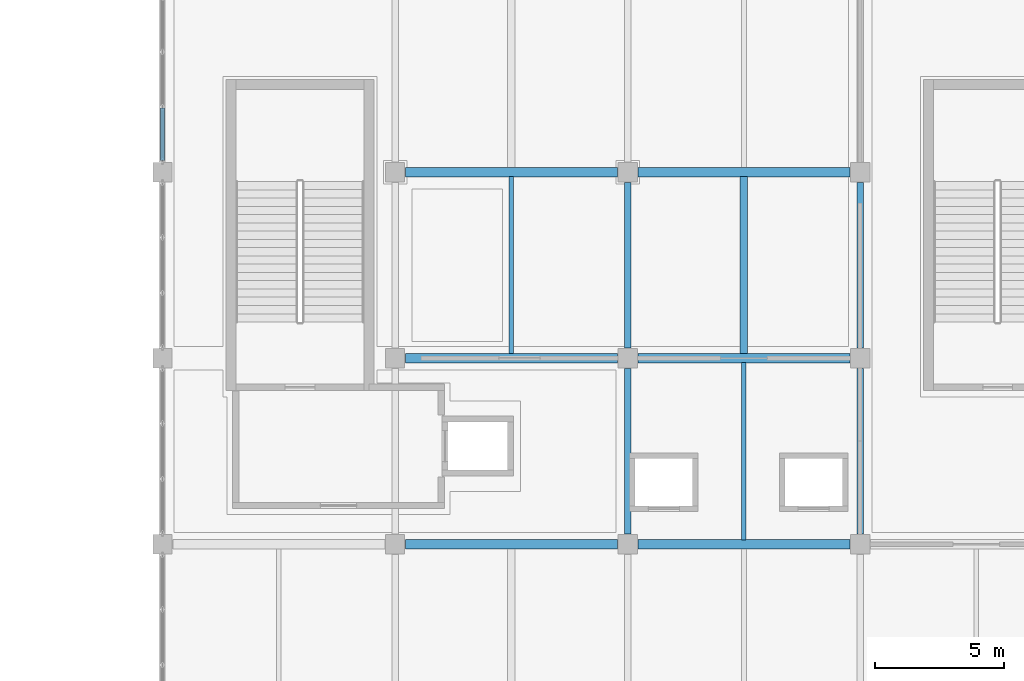
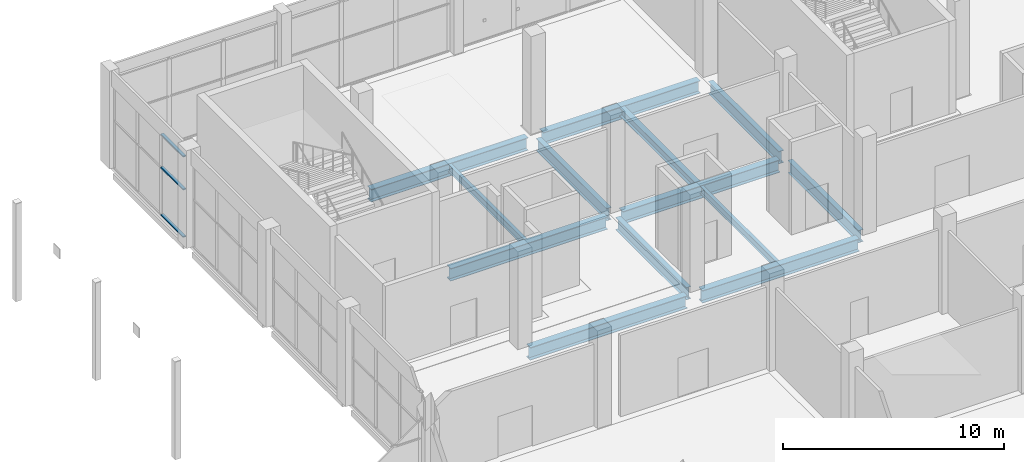
# One storey, part 93 of 189: 13 beams, 3 members, 1 element without a shape of its own.
"""IFC4 building model written with IfcOpenShell, lengths in metres."""

from ifc_helpers import new_model, si_unit, direction, frame, origin, origin_2d, place, context, subcontext, project, spatial, hollow_rectangle, i_section, extrude, material, layer, layer_set, material_profile, profile_set, type_object, element, aggregate, save


model = new_model("IFC4")

# Units and contexts
model_context = context("Model", 3, precision=1e-05, world=origin(), true_north=direction((0.0, 1.0)))
body_context = subcontext(model_context, "Body", "Model", "MODEL_VIEW")
ifc_project = project(units=[si_unit("LENGTHUNIT", "METRE"), si_unit("AREAUNIT", "SQUARE_METRE"), si_unit("VOLUMEUNIT", "CUBIC_METRE"), si_unit("PLANEANGLEUNIT", "RADIAN"), si_unit("MASSUNIT", "GRAM", prefix="KILO")], contexts=[model_context])

# Site, building, storey
site_placement = place(None, origin())
site = spatial("IfcSite", under=ifc_project, at=site_placement, CompositionType="ELEMENT")
building_placement = place(site_placement, origin())
building = spatial("IfcBuilding", under=site, at=building_placement, Name="Celestram Park Convention Centre", CompositionType="ELEMENT")
storey_placement = place(building_placement, frame((0.0, 0.0, 5.39990234375)))
storey = spatial("IfcBuildingStorey", under=building, at=storey_placement, Name="L01", CompositionType="ELEMENT", Elevation=5.39990234375)

# Curtain wall, members
ifc_material_1 = material(Name="Anodised Aluminium Alloy 6063-T6", Category="aluminium")
ifc_layer = layer(ifc_material_1, 0.179931640625)
ifc_layer_set = layer_set([ifc_layer], Name="Anodised Aluminium Alloy 6063-T6")
curtain_wall_type = type_object("IfcCurtainWallType", Name="ARC-CW-643X451", PredefinedType="NOTDEFINED", material=ifc_layer_set)
curtain_wall_placement = place(storey_placement, origin())
curtain_wall = element("IfcCurtainWall", 1, at=curtain_wall_placement, inside=storey, type_object=curtain_wall_type, Name="Unitised curtain wall CU-L01-054", PredefinedType="NOTDEFINED")
ifc_material_profile_1 = material_profile(ifc_material_1, hollow_rectangle(XDim=0.14990234375, YDim=0.06494140625, WallThickness=0.0029296875, at=origin_2d()), Name="ALU150X65X3")
ifc_profile_set_1 = profile_set([ifc_material_profile_1], Name="Anodised Aluminium Alloy 6063-T6")
member_type = type_object("IfcMemberType", Name="ARC-CWT-150", PredefinedType="USERDEFINED", material=ifc_profile_set_1)
member_1_placement = place(storey_placement, frame((36.0, 158.847900390625, 0.03271484375), z_axis=(0.0, 1.0, 0.0), x_axis=(-1.0, 0.0, 0.0)))
member_1 = element("IfcMember", 2, at=member_1_placement, type_object=member_type, Name="CW-64X45 transom 1.1", ObjectType="TRANSOM", PredefinedType="USERDEFINED", context=body_context, shape_type="SweptSolid", body=[
    extrude(hollow_rectangle(XDim=0.14990234375, YDim=0.06494140625, WallThickness=0.0029296875, at=origin_2d()), origin(), (0.0, 0.0, 1.0), 2.030517578125),
])
member_2_placement = place(storey_placement, frame((36.0, 158.847900390625, 2.650146484375), z_axis=(0.0, 1.0, 0.0), x_axis=(-1.0, 0.0, 0.0)))
member_2 = element("IfcMember", 3, at=member_2_placement, type_object=member_type, Name="CW-64X45 transom 1.2", ObjectType="TRANSOM", PredefinedType="USERDEFINED", context=body_context, shape_type="SweptSolid", body=[
    extrude(hollow_rectangle(XDim=0.14990234375, YDim=0.06494140625, WallThickness=0.0029296875, at=origin_2d()), origin(), (0.0, 0.0, 1.0), 2.030517578125),
])
member_3_placement = place(storey_placement, frame((36.0, 158.847900390625, 4.4755859375), z_axis=(0.0, 1.0, 0.0), x_axis=(-1.0, 0.0, 0.0)))
member_3 = element("IfcMember", 4, at=member_3_placement, type_object=member_type, Name="CW-64X45 transom 1.3", ObjectType="TRANSOM", PredefinedType="USERDEFINED", context=body_context, shape_type="SweptSolid", body=[
    extrude(hollow_rectangle(XDim=0.14990234375, YDim=0.06494140625, WallThickness=0.0029296875, at=origin_2d()), origin(), (0.0, 0.0, 1.0), 2.030517578125),
])
aggregate(curtain_wall, [member_1, member_2, member_3])

# Beams
ifc_material_2 = material(Name="Steel ASTM A992 Grade 50", Category="steel")
ifc_material_profile_2 = material_profile(ifc_material_2, i_section(OverallWidth=0.35595703125, OverallDepth=0.696044921875, WebThickness=0.015380859375, FlangeThickness=0.02490234375, at=origin_2d()), Name="W27X146")
ifc_profile_set_2 = profile_set([ifc_material_profile_2], Name="Steel ASTM A992 Grade 50")
beam_type_1 = type_object("IfcBeamType", Name="STR-BM-W27X146", PredefinedType="BEAM", material=ifc_profile_set_2)
for number, where, z_axis, x_axis, name in (
    (5, (45.39794921875, 144.0, -0.6279296875), (1.0, 0.0, 0.0), (0.0, 1.0, 0.0), "Primary X-girder BG-L01-0073"),
    (6, (45.39794921875, 151.199951171875, -0.6279296875), (1.0, 0.0, 0.0), (0.0, 1.0, 0.0), "Primary X-girder BG-L01-0075"),
    (7, (45.39794921875, 158.39990234375, -0.6279296875), (1.0, 0.0, 0.0), (0.0, 1.0, 0.0), "Primary X-girder BG-L01-0077"),
    (8, (54.39794921875, 144.0, -0.6279296875), (1.0, 0.0, 0.0), (0.0, 1.0, 0.0), "Primary X-girder BG-L01-0094"),
    (9, (54.39794921875, 151.199951171875, -0.6279296875), (1.0, 0.0, 0.0), (0.0, 1.0, 0.0), "Primary X-girder BG-L01-0096"),
    (10, (54.39794921875, 158.39990234375, -0.6279296875), (1.0, 0.0, 0.0), (0.0, 1.0, 0.0), "Primary X-girder BG-L01-0098"),
):
    element("IfcBeam", number, at=place(storey_placement, frame(where, z_axis=z_axis, x_axis=x_axis)), inside=storey, type_object=beam_type_1, Name=name, PredefinedType="BEAM", context=body_context, shape_type="SweptSolid", body=[
        extrude(i_section(OverallWidth=0.35595703125, OverallDepth=0.696044921875, WebThickness=0.015380859375, FlangeThickness=0.02490234375, at=origin_2d()), origin(), (0.0, 0.0, 1.0), 8.2041015625),
    ])
ifc_material_profile_3 = material_profile(ifc_material_2, i_section(OverallWidth=0.25390625, OverallDepth=0.68310546875, WebThickness=0.012451171875, FlangeThickness=0.01904296875, at=origin_2d()), Name="W27X94")
ifc_profile_set_3 = profile_set([ifc_material_profile_3], Name="Steel ASTM A992 Grade 50")
beam_type_2 = type_object("IfcBeamType", Name="STR-BM-W27X94", PredefinedType="BEAM", material=ifc_profile_set_3)
for number, where, z_axis, x_axis, name in (
    (11, (54.0, 144.39794921875, -0.621337890625), (0.0, 1.0, 0.0), (-1.0, 0.0, 0.0), "Primary Y-girder BG-L01-0095"),
    (12, (54.0, 151.597900390625, -0.621337890625), (0.0, 1.0, 0.0), (-1.0, 0.0, 0.0), "Primary Y-girder BG-L01-0097"),
    (13, (63.0, 144.39794921875, -0.621337890625), (0.0, 1.0, 0.0), (-1.0, 0.0, 0.0), "Primary Y-girder BG-L01-0116"),
    (14, (63.0, 151.597900390625, -0.621337890625), (0.0, 1.0, 0.0), (-1.0, 0.0, 0.0), "Primary Y-girder BG-L01-0117"),
):
    element("IfcBeam", number, at=place(storey_placement, frame(where, z_axis=z_axis, x_axis=x_axis)), inside=storey, type_object=beam_type_2, Name=name, PredefinedType="BEAM", context=body_context, shape_type="SweptSolid", body=[
        extrude(i_section(OverallWidth=0.25390625, OverallDepth=0.68310546875, WebThickness=0.012451171875, FlangeThickness=0.01904296875, at=origin_2d()), origin(), (0.0, 0.0, 1.0), 6.404052734375),
    ])
ifc_material_profile_4 = material_profile(ifc_material_2, i_section(OverallWidth=0.177978515625, OverallDepth=0.406005859375, WebThickness=0.0078125, FlangeThickness=0.0126953125, at=origin_2d()), Name="W16X40")
ifc_profile_set_4 = profile_set([ifc_material_profile_4], Name="Steel ASTM A992 Grade 50")
beam_type_3 = type_object("IfcBeamType", Name="STR-JST-W16X40", PredefinedType="JOIST", material=ifc_profile_set_4)
beam_1_placement = place(storey_placement, frame((49.5, 151.3740234375, -0.48291015625), z_axis=(0.0, 1.0, 0.0), x_axis=(-1.0, 0.0, 0.0)))
element("IfcBeam", 15, at=beam_1_placement, inside=storey, type_object=beam_type_3, Name="Secondary composite joist BG-L01-0571", PredefinedType="JOIST", context=body_context, shape_type="SweptSolid", body=[
    extrude(i_section(OverallWidth=0.177978515625, OverallDepth=0.406005859375, WebThickness=0.0078125, FlangeThickness=0.0126953125, at=origin_2d()), origin(), (0.0, 0.0, 1.0), 6.85205078125),
])
beam_2_placement = place(storey_placement, frame((58.5, 144.174072265625, -0.48291015625), z_axis=(0.0, 1.0, 0.0), x_axis=(-1.0, 0.0, 0.0)))
element("IfcBeam", 16, at=beam_2_placement, inside=storey, type_object=beam_type_3, Name="Secondary composite joist BG-L01-0579", PredefinedType="JOIST", context=body_context, shape_type="SweptSolid", body=[
    extrude(i_section(OverallWidth=0.177978515625, OverallDepth=0.406005859375, WebThickness=0.0078125, FlangeThickness=0.0126953125, at=origin_2d()), origin(), (0.0, 0.0, 1.0), 6.851806640625),
])
ifc_material_profile_5 = material_profile(ifc_material_2, i_section(OverallWidth=0.281982421875, OverallDepth=0.467041015625, WebThickness=0.01220703125, FlangeThickness=0.01953125, at=origin_2d()), Name="W18X86")
ifc_profile_set_5 = profile_set([ifc_material_profile_5], Name="Steel ASTM A992 Grade 50")
beam_type_4 = type_object("IfcBeamType", Name="STR-JST-W18X86", PredefinedType="JOIST", material=ifc_profile_set_5)
beam_3_placement = place(storey_placement, frame((58.5, 151.3740234375, -0.513427734375), z_axis=(0.0, 1.0, 0.0), x_axis=(-1.0, 0.0, 0.0)))
element("IfcBeam", 17, at=beam_3_placement, inside=storey, type_object=beam_type_4, Name="Secondary composite joist BG-L01-0580", PredefinedType="JOIST", context=body_context, shape_type="SweptSolid", body=[
    extrude(i_section(OverallWidth=0.281982421875, OverallDepth=0.467041015625, WebThickness=0.01220703125, FlangeThickness=0.01953125, at=origin_2d()), origin(), (0.0, 0.0, 1.0), 6.85205078125),
])

save(model, "model.ifc")
